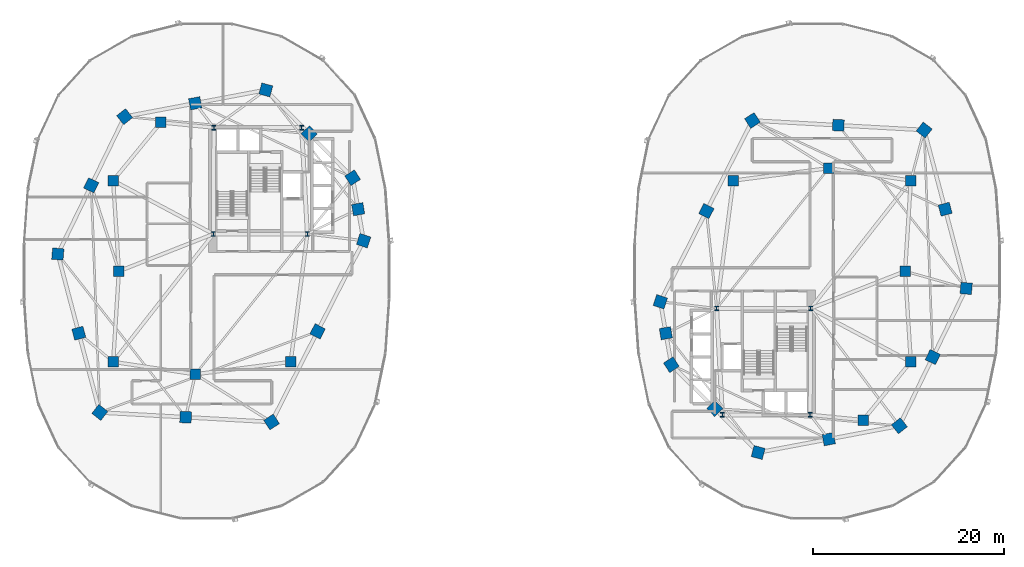
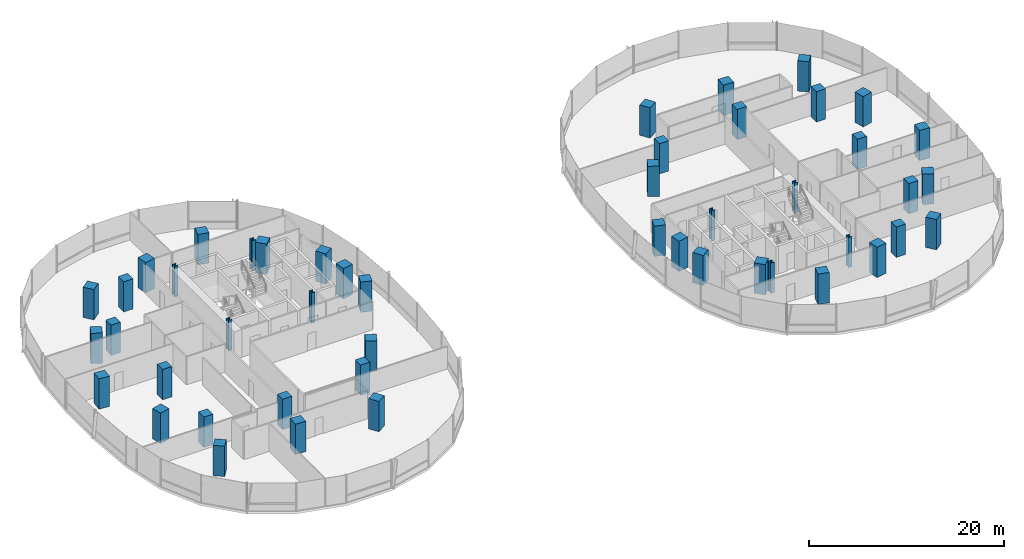
# One storey, part 1 of 21: 48 columns.
"""IFC4 building model written with IfcOpenShell, lengths in metres."""

from ifc_helpers import new_model, si_unit, direction, frame, origin, origin_2d, place, context, subcontext, project, spatial, rectangle, i_section, extrude, material, material_profile, profile_set, type_object, element, save


model = new_model("IFC4")

# Units and contexts
model_context = context("Model", 3, precision=1e-05, world=origin(), true_north=direction((0.0, 1.0)))
body_context = subcontext(model_context, "Body", "Model", "MODEL_VIEW")
ifc_project = project(units=[si_unit("LENGTHUNIT", "METRE"), si_unit("AREAUNIT", "SQUARE_METRE"), si_unit("VOLUMEUNIT", "CUBIC_METRE"), si_unit("PLANEANGLEUNIT", "RADIAN"), si_unit("MASSUNIT", "GRAM", prefix="KILO"), si_unit("THERMODYNAMICTEMPERATUREUNIT", "KELVIN"), si_unit("POWERUNIT", "WATT")], contexts=[model_context])

# Site, building, storey
site_placement = place(None, origin())
site = spatial("IfcSite", under=ifc_project, at=site_placement, CompositionType="ELEMENT")
building_placement = place(site_placement, origin())
building = spatial("IfcBuilding", under=site, at=building_placement, Name="Cundina Bronze Exchange", CompositionType="ELEMENT")
storey_placement = place(building_placement, frame((0.0, 0.0, 54.39990234375)))
storey = spatial("IfcBuildingStorey", under=building, at=storey_placement, Name="L13", CompositionType="ELEMENT", Elevation=54.39990234375)

# Columns
ifc_material_1 = material(Name="Steel ASTM A992 Grade 50", Category="steel")
ifc_material_profile_1 = material_profile(ifc_material_1, i_section(OverallWidth=0.431884765625, OverallDepth=0.498046875, WebThickness=0.0556640625, FlangeThickness=0.0888671875, FilletRadius=0.01806640625, at=origin_2d()), Name="W14X500", Category="steel")
ifc_profile_set_1 = profile_set([ifc_material_profile_1], Name="Steel ASTM A992 Grade 50")
column_type_1 = type_object("IfcColumnType", Name="COL-STL-W14A", PredefinedType="COLUMN", material=ifc_profile_set_1)
for number, where, z_axis, x_axis, name in (
    (1, (-31.300048828125, 3.89990234375, 0.0), (0.0, 0.0, 1.0), (1.0, 0.0, 0.0), "L13 Core Anchor Column W1"),
    (2, (-21.449951171875, 3.89990234375, 0.0), (0.0, 0.0, 1.0), (1.0, 0.0, 0.0), "L13 Core Anchor Column W2"),
    (3, (-22.050048828125, 15.050048828125, 0.0), (0.0, 0.0, 1.0), (1.0, 0.0, 0.0), "L13 Core Anchor Column W3"),
    (4, (-31.25, 15.050048828125, 0.0), (0.0, 0.0, 1.0), (1.0, 0.0, 0.0), "L13 Core Anchor Column W4"),
    (5, (31.300048828125, -3.89990234375, 0.0), (0.0, 0.0, 1.0), (1.0, 0.0, 0.0), "L13 Core Anchor Column E1"),
    (6, (21.449951171875, -3.89990234375, 0.0), (0.0, 0.0, 1.0), (1.0, 0.0, 0.0), "L13 Core Anchor Column E2"),
    (7, (22.050048828125, -15.050048828125, 0.0), (0.0, 0.0, 1.0), (1.0, 0.0, 0.0), "L13 Core Anchor Column E3"),
    (8, (31.25, -15.050048828125, 0.0), (0.0, 0.0, 1.0), (1.0, 0.0, 0.0), "L13 Core Anchor Column E4"),
):
    element("IfcColumn", number, at=place(storey_placement, frame(where, z_axis=z_axis, x_axis=x_axis)), inside=storey, type_object=column_type_1, Name=name, PredefinedType="COLUMN", context=body_context, shape_type="SweptSolid", body=[
        extrude(i_section(OverallWidth=0.431884765625, OverallDepth=0.498046875, WebThickness=0.0556640625, FlangeThickness=0.0888671875, FilletRadius=0.01806640625, at=origin_2d()), origin(), (0.0, 0.0, 1.0), 3.800048828125),
    ])
ifc_material_2 = material(Name="Concrete C60/75", Category="concrete")
ifc_material_profile_2 = material_profile(ifc_material_2, rectangle(XDim=1.199951171875, YDim=1.199951171875, at=origin_2d()), Name="RC1200X1200", Category="concrete")
ifc_profile_set_2 = profile_set([ifc_material_profile_2], Name="Concrete C60/75")
column_type_2 = type_object("IfcColumnType", Name="COL-Z1-1200", PredefinedType="COLUMN", material=ifc_profile_set_2)
for number, where, z_axis, x_axis, name in (
    (9, (-15.550048828125, 3.199951171875, 0.0), (0.0, 0.0, 1.0), (0.315152163383, 0.949041155016, 0.0), "L13 W Perimeter Column 00"),
    (10, (-16.125, 6.5, 0.0), (0.0, 0.0, 1.0), (-0.171585221787, 0.985169280715, 0.0), "L13 W Perimeter Column 01"),
    (11, (-16.699951171875, 9.800048828125, 0.0), (0.0, 0.0, 1.0), (-0.544199833495, 0.838955625301, 0.0), "L13 W Perimeter Column 02"),
    (12, (-21.25, 14.39990234375, 0.0), (0.0, 0.0, 1.0), (-0.703270634186, 0.710922228581, 0.0), "L13 W Perimeter Column 03"),
    (13, (-25.800048828125, 19.0, 0.0), (0.0, 0.0, 1.0), (-0.965970984022, 0.258650455301, 0.0), "L13 W Perimeter Column 04"),
    (14, (-33.199951171875, 17.60009765625, 0.0), (0.0, 0.0, 1.0), (-0.98258037664, -0.185838110843, 0.0), "L13 W Perimeter Column 05"),
    (15, (-40.60009765625, 16.199951171875, 0.0), (0.0, 0.0, 1.0), (-0.785100778485, -0.619368038909, 0.0), "L13 W Perimeter Column 06"),
    (16, (-44.10009765625, 9.0, 0.0), (0.0, 0.0, 1.0), (-0.437115766651, -0.899405251566, 0.0), "L13 W Perimeter Column 07"),
    (17, (-47.60009765625, 1.800048828125, 0.0), (0.0, 0.0, 1.0), (-0.083503921245, -0.996507448611, 0.0), "L13 W Perimeter Column 08"),
    (18, (-45.39990234375, -6.5, 0.0), (0.0, 0.0, 1.0), (0.256289373133, -0.966600102017, 0.0), "L13 W Perimeter Column 09"),
    (19, (-43.199951171875, -14.800048828125, 0.0), (0.0, 0.0, 1.0), (0.786288432137, -0.61785961309, 0.0), "L13 W Perimeter Column 10"),
    (20, (-34.199951171875, -15.300048828125, 0.0), (0.0, 0.0, 1.0), (0.998460188734, -0.055472980025, 0.0), "L13 W Perimeter Column 11"),
    (21, (-25.199951171875, -15.800048828125, 0.0), (0.0, 0.0, 1.0), (0.838099763533, 0.545516989988, 0.0), "L13 W Perimeter Column 12"),
    (22, (-20.375, -6.300048828125, 0.0), (0.0, 0.0, 1.0), (0.452901591366, 0.891560513111, 0.0), "L13 W Perimeter Column 13"),
    (23, (15.550048828125, -3.199951171875, 0.0), (0.0, 0.0, 1.0), (-0.315152163383, -0.949041155016, 0.0), "L13 E Perimeter Column 00"),
    (24, (16.125, -6.5, 0.0), (0.0, 0.0, 1.0), (0.171585221787, -0.985169280715, 0.0), "L13 E Perimeter Column 01"),
    (25, (16.699951171875, -9.800048828125, 0.0), (0.0, 0.0, 1.0), (0.544199833495, -0.838955625301, 0.0), "L13 E Perimeter Column 02"),
    (26, (21.25, -14.39990234375, 0.0), (0.0, 0.0, 1.0), (0.703270634186, -0.710922228581, 0.0), "L13 E Perimeter Column 03"),
    (27, (25.800048828125, -19.0, 0.0), (0.0, 0.0, 1.0), (0.965970984022, -0.258650455301, 0.0), "L13 E Perimeter Column 04"),
    (28, (33.199951171875, -17.60009765625, 0.0), (0.0, 0.0, 1.0), (0.98258037664, 0.185838110843, 0.0), "L13 E Perimeter Column 05"),
    (29, (40.60009765625, -16.199951171875, 0.0), (0.0, 0.0, 1.0), (0.785100778485, 0.619368038909, 0.0), "L13 E Perimeter Column 06"),
    (30, (44.10009765625, -9.0, 0.0), (0.0, 0.0, 1.0), (0.437115766651, 0.899405251566, 0.0), "L13 E Perimeter Column 07"),
    (31, (47.60009765625, -1.800048828125, 0.0), (0.0, 0.0, 1.0), (0.083503921245, 0.996507448611, 0.0), "L13 E Perimeter Column 08"),
    (32, (45.39990234375, 6.5, 0.0), (0.0, 0.0, 1.0), (-0.256289373133, 0.966600102017, 0.0), "L13 E Perimeter Column 09"),
    (33, (43.199951171875, 14.800048828125, 0.0), (0.0, 0.0, 1.0), (-0.786288432137, 0.61785961309, 0.0), "L13 E Perimeter Column 10"),
    (34, (34.199951171875, 15.300048828125, 0.0), (0.0, 0.0, 1.0), (-0.998460188734, 0.055472980025, 0.0), "L13 E Perimeter Column 11"),
    (35, (25.199951171875, 15.800048828125, 0.0), (0.0, 0.0, 1.0), (-0.838099763533, -0.545516989988, 0.0), "L13 E Perimeter Column 12"),
    (36, (20.375, 6.300048828125, 0.0), (0.0, 0.0, 1.0), (-0.452901591366, -0.891560513111, 0.0), "L13 E Perimeter Column 13"),
):
    element("IfcColumn", number, at=place(storey_placement, frame(where, z_axis=z_axis, x_axis=x_axis)), inside=storey, type_object=column_type_2, Name=name, PredefinedType="COLUMN", context=body_context, shape_type="SweptSolid", body=[
        extrude(rectangle(XDim=1.199951171875, YDim=1.199951171875, at=origin_2d()), origin(), (0.0, 0.0, 1.0), 3.800048828125),
    ])
ifc_material_profile_3 = material_profile(ifc_material_2, rectangle(XDim=1.10009765625, YDim=1.10009765625, at=origin_2d()), Name="RC1100X1100", Category="concrete")
ifc_profile_set_3 = profile_set([ifc_material_profile_3], Name="Concrete C60/75")
column_type_3 = type_object("IfcColumnType", Name="COL-Z2-1100", PredefinedType="COLUMN", material=ifc_profile_set_3)
for number, where, z_axis, x_axis, name in (
    (37, (-41.199951171875, 0.0, 0.0), (0.0, 0.0, 1.0), (1.0, 0.0, 0.0), "L13 W Inner Ring Column 1"),
    (38, (-41.800048828125, 9.5, 0.0), (0.0, 0.0, 1.0), (1.0, 0.0, 0.0), "L13 W Inner Ring Column 2"),
    (39, (-36.800048828125, 15.60009765625, 0.0), (0.0, 0.0, 1.0), (1.0, 0.0, 0.0), "L13 W Inner Ring Column 3"),
    (40, (-41.800048828125, -9.5, 0.0), (0.0, 0.0, 1.0), (1.0, 0.0, 0.0), "L13 W Inner Ring Column 4"),
    (41, (-33.199951171875, -10.800048828125, 0.0), (0.0, 0.0, 1.0), (1.0, 0.0, 0.0), "L13 W Inner Ring Column 5"),
    (42, (-23.199951171875, -9.5, 0.0), (0.0, 0.0, 1.0), (1.0, 0.0, 0.0), "L13 W Inner Ring Column 6"),
    (43, (41.199951171875, 0.0, 0.0), (0.0, 0.0, 1.0), (1.0, 0.0, 0.0), "L13 E Inner Ring Column 1"),
    (44, (41.800048828125, -9.5, 0.0), (0.0, 0.0, 1.0), (1.0, 0.0, 0.0), "L13 E Inner Ring Column 2"),
    (45, (36.800048828125, -15.60009765625, 0.0), (0.0, 0.0, 1.0), (1.0, 0.0, 0.0), "L13 E Inner Ring Column 3"),
    (46, (41.800048828125, 9.5, 0.0), (0.0, 0.0, 1.0), (1.0, 0.0, 0.0), "L13 E Inner Ring Column 4"),
    (47, (33.199951171875, 10.800048828125, 0.0), (0.0, 0.0, 1.0), (1.0, 0.0, 0.0), "L13 E Inner Ring Column 5"),
    (48, (23.199951171875, 9.5, 0.0), (0.0, 0.0, 1.0), (1.0, 0.0, 0.0), "L13 E Inner Ring Column 6"),
):
    element("IfcColumn", number, at=place(storey_placement, frame(where, z_axis=z_axis, x_axis=x_axis)), inside=storey, type_object=column_type_3, Name=name, PredefinedType="COLUMN", context=body_context, shape_type="SweptSolid", body=[
        extrude(rectangle(XDim=1.10009765625, YDim=1.10009765625, at=origin_2d()), origin(), (0.0, 0.0, 1.0), 3.800048828125),
    ])

save(model, "model.ifc")
